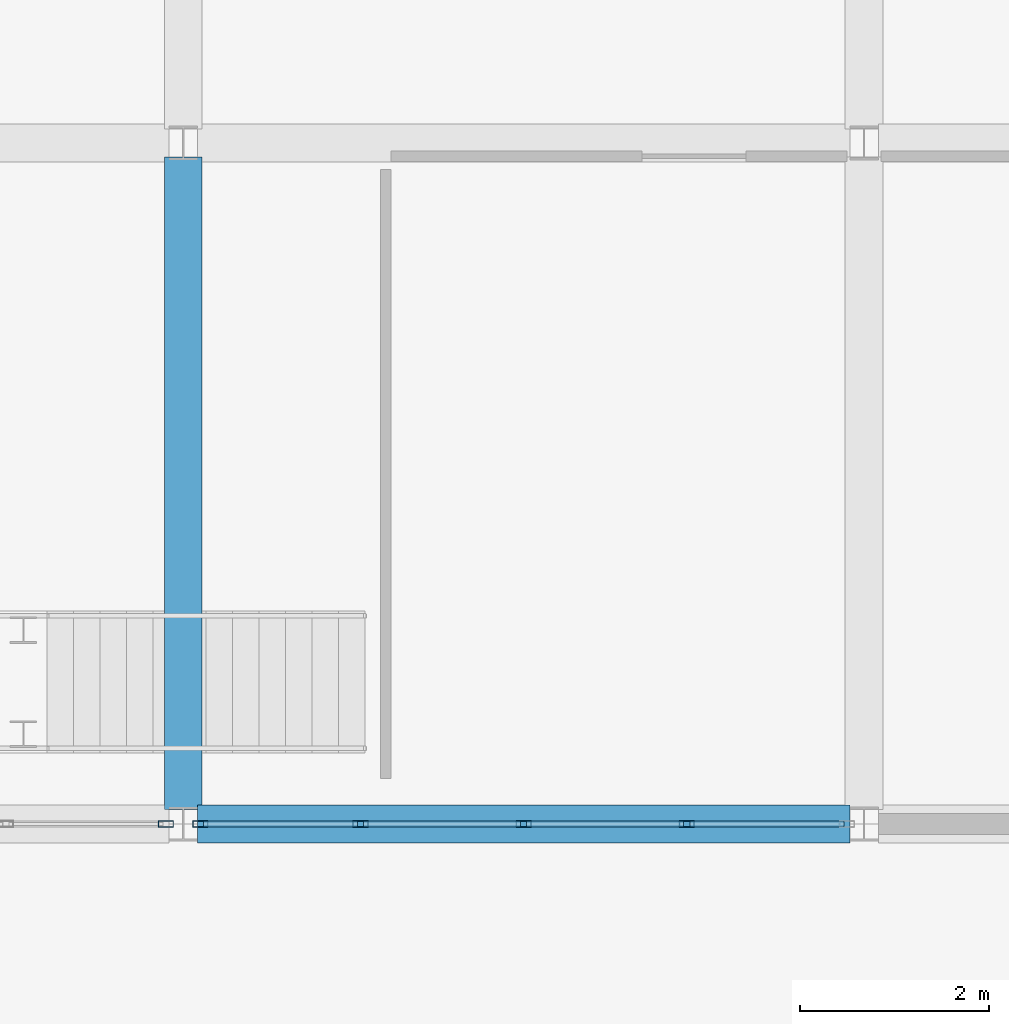
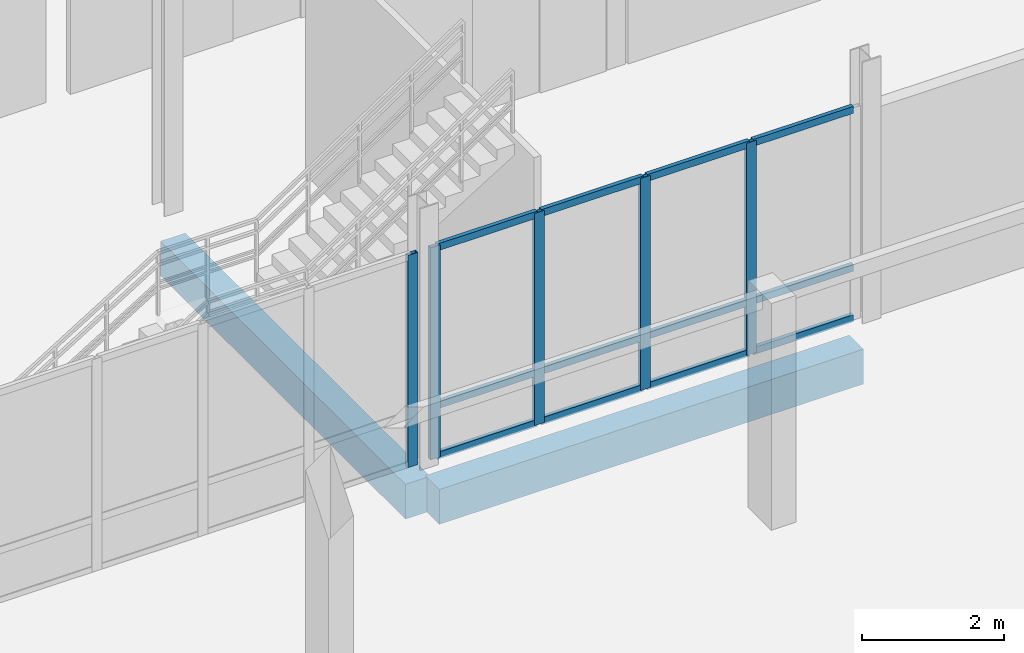
# One storey, part 79 of 139: 17 members, 2 beams, 2 elements without a shape of their own.
"""IFC4 building model written with IfcOpenShell, lengths in metres."""

import ifcopenshell
import ifcopenshell.guid

model = None  # the IFC model being written
_history = None  # IfcOwnerHistory: only IFC2X3 demands one
_inside = {}  # id of a spatial element -> (the spatial element, [elements in it])
_under = {}  # id of a project, library or spatial element -> (it, [spatial elements below it])
_declared = {}  # id of a project -> (the project, [libraries it declares])
_typed = {}  # id of a type object -> (the type object, [elements of that type])
_made_of = {}  # id of a material, layer set ... -> (it, [elements and type objects made of it])


def new_model(schema):
    """Start an empty IFC model of exactly this schema.

    Asked for "IFC4X3", IfcOpenShell would pick the latest addendum, in which some entities
    have other attributes; the version numbers below select the first issue.
    IFC2X3 requires an IfcOwnerHistory on every rooted entity: one is made here for all.
    """
    global model, _history
    if schema == "IFC4X3":
        model = ifcopenshell.file(schema_version=(4, 3, 0, 0))
    else:
        model = ifcopenshell.file(schema=schema)
    _inside.clear()
    _under.clear()
    _declared.clear()
    _typed.clear()
    _made_of.clear()
    _history = None
    if model.schema == "IFC2X3":
        org = make("IfcOrganization", Name="unknown")
        user = make(
            "IfcPersonAndOrganization",
            ThePerson=make("IfcPerson", FamilyName="unknown"),
            TheOrganization=org,
        )
        app = make(
            "IfcApplication",
            ApplicationDeveloper=org,
            Version="unknown",
            ApplicationFullName="unknown",
            ApplicationIdentifier="unknown",
        )
        _history = make(
            "IfcOwnerHistory",
            OwningUser=user,
            OwningApplication=app,
            ChangeAction="ADDED",
            CreationDate=0,
        )
    return model


def make(cls, **values):
    """One entity of the class cls with the attributes given. An attribute that is None is left unset."""
    return model.create_entity(
        cls, **{name: value for name, value in values.items() if value is not None}
    )


def rooted(cls, **values):
    """An entity with a GlobalId (a new one), such as an element, a storey or a relation."""
    return make(cls, GlobalId=ifcopenshell.guid.new(), OwnerHistory=_history, **values)


def si_unit(unit_type, name, prefix=None):
    """IfcSIUnit, for example si_unit("LENGTHUNIT", "METRE", prefix="MILLI")."""
    return make("IfcSIUnit", UnitType=unit_type, Prefix=prefix, Name=name)


def assignment(units):
    """IfcUnitAssignment: the units of a project."""
    return None if units is None else make("IfcUnitAssignment", Units=units)


def point(xyz):
    """IfcCartesianPoint."""
    return None if xyz is None else make("IfcCartesianPoint", Coordinates=xyz)


def direction(xyz):
    """IfcDirection."""
    return None if xyz is None else make("IfcDirection", DirectionRatios=xyz)


def frame(location, z_axis=None, x_axis=None):
    """IfcAxis2Placement3D, a coordinate frame: its origin and axes. An axis left out is left unset."""
    return make(
        "IfcAxis2Placement3D",
        Location=point(location),
        Axis=direction(z_axis),
        RefDirection=direction(x_axis),
    )


def frame_2d(location, x_axis=None):
    """IfcAxis2Placement2D, a coordinate frame in the plane: its origin and x axis."""
    return make(
        "IfcAxis2Placement2D", Location=point(location), RefDirection=direction(x_axis)
    )


def origin():
    """The frame at (0, 0, 0) with its axes left unset."""
    return frame((0.0, 0.0, 0.0))


def origin_2d():
    """The frame at (0, 0) in the plane with its x axis left unset."""
    return frame_2d((0.0, 0.0))


def place(relative_to, where):
    """IfcLocalPlacement: puts the frame where relative to a parent placement (None: the world)."""
    return make(
        "IfcLocalPlacement", PlacementRelTo=relative_to, RelativePlacement=where
    )


def context(
    kind, dimensions, precision=None, world=None, true_north=None, identifier=None
):
    """IfcGeometricRepresentationContext, for example the 3D "Model" context."""
    return make(
        "IfcGeometricRepresentationContext",
        ContextIdentifier=identifier,
        ContextType=kind,
        CoordinateSpaceDimension=dimensions,
        Precision=precision,
        WorldCoordinateSystem=world,
        TrueNorth=true_north,
    )


def subcontext(parent, identifier, kind, view, scale=None):
    """IfcGeometricRepresentationSubContext, for example "Body" below "Model"."""
    return make(
        "IfcGeometricRepresentationSubContext",
        ContextIdentifier=identifier,
        ContextType=kind,
        ParentContext=parent,
        TargetScale=scale,
        TargetView=view,
    )


def project(units=None, contexts=None):
    """IfcProject with its units and contexts."""
    return rooted(
        "IfcProject",
        Name="project",
        RepresentationContexts=contexts,
        UnitsInContext=assignment(units),
    )


def spatial(cls, under=None, at=None, **own):
    """A site, building, storey or space (cls), placed at a placement, below another one or the project."""
    s = rooted(cls, ObjectPlacement=at, **own)
    if under is not None:
        _under.setdefault(under.id(), (under, []))[1].append(s)
    return s


def profile(cls, at=None, kind="AREA", **sizes):
    """A parametric profile (cls). Its sizes go by their IFC names, for example OverallWidth=200.0."""
    return make(cls, ProfileType=kind, Position=at, **sizes)


def rectangle(**sizes):
    """IfcRectangleProfileDef."""
    return profile("IfcRectangleProfileDef", **sizes)


def hollow_rectangle(**sizes):
    """IfcRectangleHollowProfileDef."""
    return profile("IfcRectangleHollowProfileDef", **sizes)


def extrude(swept, where, along, depth):
    """IfcExtrudedAreaSolid: the profile swept, set in the frame where, extruded along a direction by depth."""
    return make(
        "IfcExtrudedAreaSolid",
        SweptArea=swept,
        Position=where,
        ExtrudedDirection=direction(along),
        Depth=depth,
    )


def shape(context_of_items, identifier, shape_type, items):
    """IfcShapeRepresentation: the items that make up one representation, for example the "Body"."""
    return make(
        "IfcShapeRepresentation",
        ContextOfItems=context_of_items,
        RepresentationIdentifier=identifier,
        RepresentationType=shape_type,
        Items=items,
    )


def material(Name=None, Category=None):
    """IfcMaterial."""
    return make("IfcMaterial", Name=Name, Category=Category)


def material_profile(
    of_material, cross_section, Name=None, Category=None, Priority=None
):
    """IfcMaterialProfile: a cross section and its material."""
    return make(
        "IfcMaterialProfile",
        Name=Name,
        Material=of_material,
        Profile=cross_section,
        Priority=Priority,
        Category=Category,
    )


def profile_set(profiles, Name=None, composite=None):
    """IfcMaterialProfileSet."""
    return make(
        "IfcMaterialProfileSet",
        Name=Name,
        MaterialProfiles=profiles,
        CompositeProfile=composite,
    )


def made_of(thing, what):
    """Note that an element or type object is made of a material, layer set ...; save() writes the relation."""
    if what is not None:
        _made_of.setdefault(what.id(), (what, []))[1].append(thing)
    return thing


def type_object(cls, material=None, **own):
    """A type object (cls), such as IfcWallType, which elements share."""
    return made_of(rooted(cls, **own), material)


def element(
    cls,
    number,
    at=None,
    inside=None,
    cuts=None,
    type_object=None,
    material=None,
    context=None,
    identifier="Body",
    shape_type=None,
    held_by="IfcProductDefinitionShape",
    body=None,
    shapes=None,
    **own,
):
    """One element of the class cls, such as IfcWall. Its Tag is "e" and its number.

    at: its placement. inside: the storey or other place that contains it. cuts: it is an
    opening in that element (IfcRelVoidsElement). A single representation is given by context,
    identifier, shape_type and body (its items); several are given by shapes. held_by: the class
    of the entity that holds the representations. save() writes the other relations.
    """
    e = rooted(cls, Tag="e%d" % number, ObjectPlacement=at, **own)
    if body is not None:
        shapes = [shape(context, identifier, shape_type, body)]
    if shapes is not None:
        e.Representation = make(held_by, Representations=shapes)
    if inside is not None:
        _inside.setdefault(inside.id(), (inside, []))[1].append(e)
    if cuts is not None:
        rooted(
            "IfcRelVoidsElement", RelatingBuildingElement=cuts, RelatedOpeningElement=e
        )
    if type_object is not None:
        _typed.setdefault(type_object.id(), (type_object, []))[1].append(e)
    return made_of(e, material)


def aggregate(whole, parts):
    """IfcRelAggregates: a whole, such as a stair, and the parts it consists of."""
    return rooted("IfcRelAggregates", RelatingObject=whole, RelatedObjects=parts)


def save(model, path):
    """Write the relations noted so far, then the file.

    IfcRelAggregates (storeys below a building ...), IfcRelContainedInSpatialStructure (elements
    in a storey), IfcRelDefinesByType, IfcRelAssociatesMaterial and IfcRelDeclares: one each for
    every whole, place, type object, material and project.
    """
    for whole, parts in _under.values():
        aggregate(whole, parts)
    for where, things in _inside.values():
        rooted(
            "IfcRelContainedInSpatialStructure",
            RelatedElements=things,
            RelatingStructure=where,
        )
    for kind, things in _typed.values():
        rooted("IfcRelDefinesByType", RelatedObjects=things, RelatingType=kind)
    for what, things in _made_of.values():
        rooted("IfcRelAssociatesMaterial", RelatedObjects=things, RelatingMaterial=what)
    for by, libraries in _declared.values():
        rooted("IfcRelDeclares", RelatingContext=by, RelatedDefinitions=libraries)
    model.write(path)


model = new_model("IFC4")

# Units and contexts
model_context = context("Model", 3, precision=1e-05, world=origin(), true_north=direction((0.0, 1.0)))
body_context = subcontext(model_context, "Body", "Model", "MODEL_VIEW")
ifc_project = project(units=[si_unit("LENGTHUNIT", "METRE"), si_unit("AREAUNIT", "SQUARE_METRE"), si_unit("VOLUMEUNIT", "CUBIC_METRE"), si_unit("PLANEANGLEUNIT", "RADIAN"), si_unit("MASSUNIT", "GRAM", prefix="KILO")], contexts=[model_context])

# Site, building, storey
site_placement = place(None, origin())
site = spatial("IfcSite", under=ifc_project, at=site_placement, CompositionType="ELEMENT")
building_placement = place(site_placement, origin())
building = spatial("IfcBuilding", under=site, at=building_placement, Name="Suanplinth Sawtooth Commons", CompositionType="ELEMENT")
storey_placement = place(building_placement, origin())
storey = spatial("IfcBuildingStorey", under=building, at=storey_placement, Name="L00", CompositionType="ELEMENT", Elevation=0.0)

# Beams
ifc_material_1 = material(Name="Precast concrete C40/50", Category="concrete")
ifc_material_profile_1 = material_profile(ifc_material_1, rectangle(XDim=0.39990234375, YDim=0.60009765625, at=origin_2d()), Name="PC-GDR 400x600")
ifc_profile_set_1 = profile_set([ifc_material_profile_1], Name="Precast concrete C40/50")
beam_type = type_object("IfcBeamType", Name="B-05", PredefinedType="USERDEFINED", material=ifc_profile_set_1)
beam_1_placement = place(storey_placement, frame((144.14990234375, 50.39990234375, -0.719970703125), z_axis=(1.0, 0.0, 0.0), x_axis=(0.0, 1.0, 0.0)))
element("IfcBeam", 1, at=beam_1_placement, inside=storey, type_object=beam_type, Name="BMX-L00-NURS-20-7", ObjectType="GIRDER", PredefinedType="USERDEFINED", context=body_context, shape_type="SweptSolid", body=[
    extrude(rectangle(XDim=0.39990234375, YDim=0.60009765625, at=origin_2d()), origin(), (0.0, 0.0, 1.0), 6.900146484375),
])
beam_2_placement = place(storey_placement, frame((144.0, 50.550048828125, -0.719970703125), z_axis=(0.0, 1.0, 0.0), x_axis=(-1.0, 0.0, 0.0)))
element("IfcBeam", 2, at=beam_2_placement, inside=storey, type_object=beam_type, Name="BMY-L00-NURS-20-7", ObjectType="GIRDER", PredefinedType="USERDEFINED", context=body_context, shape_type="SweptSolid", body=[
    extrude(rectangle(XDim=0.39990234375, YDim=0.60009765625, at=origin_2d()), origin(), (0.0, 0.0, 1.0), 6.89990234375),
])

# Curtain wall, member
ifc_material_2 = material(Name="Anodized aluminium and low-E glazing", Category="aluminium")
curtain_wall_type = type_object("IfcCurtainWallType", Name="CW-02", PredefinedType="USERDEFINED", material=ifc_material_2)
curtain_wall_1_placement = place(storey_placement, origin())
curtain_wall_1 = element("IfcCurtainWall", 3, at=curtain_wall_1_placement, inside=storey, type_object=curtain_wall_type, Name="Curtain Wall CW-L00-NURS-S-19", ObjectType="CURTAIN WALL", PredefinedType="USERDEFINED")
ifc_material_3 = material(Name="Anodized aluminium 6063-T6", Category="aluminium")
ifc_material_profile_2 = material_profile(ifc_material_3, hollow_rectangle(XDim=0.06494140625, YDim=0.159912109375, WallThickness=0.00390625, at=origin_2d()), Name="ALU-MUL 65x160")
ifc_profile_set_2 = profile_set([ifc_material_profile_2], Name="Anodized aluminium 6063-T6")
member_type_1 = type_object("IfcMemberType", Name="M-13", PredefinedType="MULLION", material=ifc_profile_set_2)
member_1_placement = place(storey_placement, frame((143.8173828125, 50.39990234375, 0.0), z_axis=(0.0, 0.0, 1.0), x_axis=(0.0, 1.0, 0.0)))
member_1 = element("IfcMember", 4, at=member_1_placement, type_object=member_type_1, Name="CW-02 mullion 5", PredefinedType="MULLION", context=body_context, shape_type="SweptSolid", body=[
    extrude(hollow_rectangle(XDim=0.06494140625, YDim=0.159912109375, WallThickness=0.00390625, at=origin_2d()), origin(), (0.0, 0.0, 1.0), 3.64990234375),
])
aggregate(curtain_wall_1, [member_1])

# Curtain wall, members
curtain_wall_2_placement = place(storey_placement, origin())
curtain_wall_2 = element("IfcCurtainWall", 5, at=curtain_wall_2_placement, inside=storey, type_object=curtain_wall_type, Name="Curtain Wall CW-L00-NURS-S-20", ObjectType="CURTAIN WALL", PredefinedType="USERDEFINED")
member_2_placement = place(storey_placement, frame((144.1826171875, 50.39990234375, 0.0), z_axis=(0.0, 0.0, 1.0), x_axis=(0.0, 1.0, 0.0)))
member_2 = element("IfcMember", 6, at=member_2_placement, type_object=member_type_1, Name="CW-02 mullion 1", PredefinedType="MULLION", context=body_context, shape_type="SweptSolid", body=[
    extrude(hollow_rectangle(XDim=0.06494140625, YDim=0.159912109375, WallThickness=0.00390625, at=origin_2d()), origin(), (0.0, 0.0, 1.0), 3.64990234375),
])
member_3_placement = place(storey_placement, frame((145.875, 50.39990234375, 0.0), z_axis=(0.0, 0.0, 1.0), x_axis=(0.0, 1.0, 0.0)))
member_3 = element("IfcMember", 7, at=member_3_placement, type_object=member_type_1, Name="CW-02 mullion 2", PredefinedType="MULLION", context=body_context, shape_type="SweptSolid", body=[
    extrude(hollow_rectangle(XDim=0.06494140625, YDim=0.159912109375, WallThickness=0.00390625, at=origin_2d()), origin(), (0.0, 0.0, 1.0), 3.64990234375),
])
member_4_placement = place(storey_placement, frame((147.60009765625, 50.39990234375, 0.0), z_axis=(0.0, 0.0, 1.0), x_axis=(0.0, 1.0, 0.0)))
member_4 = element("IfcMember", 8, at=member_4_placement, type_object=member_type_1, Name="CW-02 mullion 3", PredefinedType="MULLION", context=body_context, shape_type="SweptSolid", body=[
    extrude(hollow_rectangle(XDim=0.06494140625, YDim=0.159912109375, WallThickness=0.00390625, at=origin_2d()), origin(), (0.0, 0.0, 1.0), 3.64990234375),
])
member_5_placement = place(storey_placement, frame((149.324951171875, 50.39990234375, 0.0), z_axis=(0.0, 0.0, 1.0), x_axis=(0.0, 1.0, 0.0)))
member_5 = element("IfcMember", 9, at=member_5_placement, type_object=member_type_1, Name="CW-02 mullion 4", PredefinedType="MULLION", context=body_context, shape_type="SweptSolid", body=[
    extrude(hollow_rectangle(XDim=0.06494140625, YDim=0.159912109375, WallThickness=0.00390625, at=origin_2d()), origin(), (0.0, 0.0, 1.0), 3.64990234375),
])
ifc_material_profile_3 = material_profile(ifc_material_3, hollow_rectangle(XDim=0.06494140625, YDim=0.1201171875, WallThickness=0.00390625, at=origin_2d()), Name="ALU-TRN 65x120")
ifc_profile_set_3 = profile_set([ifc_material_profile_3], Name="Anodized aluminium 6063-T6")
member_type_2 = type_object("IfcMemberType", Name="M-15", PredefinedType="USERDEFINED", material=ifc_profile_set_3)
member_6_placement = place(storey_placement, frame((144.215087890625, 50.39990234375, 0.032470703125), z_axis=(1.0, 0.0, 0.0), x_axis=(0.0, 1.0, 0.0)))
member_6 = element("IfcMember", 10, at=member_6_placement, type_object=member_type_2, Name="CW-02 transom 1.1", ObjectType="TRANSOM", PredefinedType="USERDEFINED", context=body_context, shape_type="SweptSolid", body=[
    extrude(hollow_rectangle(XDim=0.06494140625, YDim=0.1201171875, WallThickness=0.00390625, at=origin_2d()), origin(), (0.0, 0.0, 1.0), 1.62744140625),
])
member_7_placement = place(storey_placement, frame((144.215087890625, 50.39990234375, 0.89990234375), z_axis=(1.0, 0.0, 0.0), x_axis=(0.0, 1.0, 0.0)))
member_7 = element("IfcMember", 11, at=member_7_placement, type_object=member_type_2, Name="CW-02 transom 1.2", ObjectType="TRANSOM", PredefinedType="USERDEFINED", context=body_context, shape_type="SweptSolid", body=[
    extrude(hollow_rectangle(XDim=0.06494140625, YDim=0.1201171875, WallThickness=0.00390625, at=origin_2d()), origin(), (0.0, 0.0, 1.0), 1.62744140625),
])
member_8_placement = place(storey_placement, frame((144.215087890625, 50.39990234375, 3.617431640625), z_axis=(1.0, 0.0, 0.0), x_axis=(0.0, 1.0, 0.0)))
member_8 = element("IfcMember", 12, at=member_8_placement, type_object=member_type_2, Name="CW-02 transom 1.3", ObjectType="TRANSOM", PredefinedType="USERDEFINED", context=body_context, shape_type="SweptSolid", body=[
    extrude(hollow_rectangle(XDim=0.06494140625, YDim=0.1201171875, WallThickness=0.00390625, at=origin_2d()), origin(), (0.0, 0.0, 1.0), 1.62744140625),
])
member_9_placement = place(storey_placement, frame((145.907470703125, 50.39990234375, 0.032470703125), z_axis=(1.0, 0.0, 0.0), x_axis=(0.0, 1.0, 0.0)))
member_9 = element("IfcMember", 13, at=member_9_placement, type_object=member_type_2, Name="CW-02 transom 2.1", ObjectType="TRANSOM", PredefinedType="USERDEFINED", context=body_context, shape_type="SweptSolid", body=[
    extrude(hollow_rectangle(XDim=0.06494140625, YDim=0.1201171875, WallThickness=0.00390625, at=origin_2d()), origin(), (0.0, 0.0, 1.0), 1.659912109375),
])
member_10_placement = place(storey_placement, frame((145.907470703125, 50.39990234375, 0.89990234375), z_axis=(1.0, 0.0, 0.0), x_axis=(0.0, 1.0, 0.0)))
member_10 = element("IfcMember", 14, at=member_10_placement, type_object=member_type_2, Name="CW-02 transom 2.2", ObjectType="TRANSOM", PredefinedType="USERDEFINED", context=body_context, shape_type="SweptSolid", body=[
    extrude(hollow_rectangle(XDim=0.06494140625, YDim=0.1201171875, WallThickness=0.00390625, at=origin_2d()), origin(), (0.0, 0.0, 1.0), 1.659912109375),
])
member_11_placement = place(storey_placement, frame((145.907470703125, 50.39990234375, 3.617431640625), z_axis=(1.0, 0.0, 0.0), x_axis=(0.0, 1.0, 0.0)))
member_11 = element("IfcMember", 15, at=member_11_placement, type_object=member_type_2, Name="CW-02 transom 2.3", ObjectType="TRANSOM", PredefinedType="USERDEFINED", context=body_context, shape_type="SweptSolid", body=[
    extrude(hollow_rectangle(XDim=0.06494140625, YDim=0.1201171875, WallThickness=0.00390625, at=origin_2d()), origin(), (0.0, 0.0, 1.0), 1.659912109375),
])
member_12_placement = place(storey_placement, frame((147.632568359375, 50.39990234375, 0.032470703125), z_axis=(1.0, 0.0, 0.0), x_axis=(0.0, 1.0, 0.0)))
member_12 = element("IfcMember", 16, at=member_12_placement, type_object=member_type_2, Name="CW-02 transom 3.1", ObjectType="TRANSOM", PredefinedType="USERDEFINED", context=body_context, shape_type="SweptSolid", body=[
    extrude(hollow_rectangle(XDim=0.06494140625, YDim=0.1201171875, WallThickness=0.00390625, at=origin_2d()), origin(), (0.0, 0.0, 1.0), 1.659912109375),
])
member_13_placement = place(storey_placement, frame((147.632568359375, 50.39990234375, 0.89990234375), z_axis=(1.0, 0.0, 0.0), x_axis=(0.0, 1.0, 0.0)))
member_13 = element("IfcMember", 17, at=member_13_placement, type_object=member_type_2, Name="CW-02 transom 3.2", ObjectType="TRANSOM", PredefinedType="USERDEFINED", context=body_context, shape_type="SweptSolid", body=[
    extrude(hollow_rectangle(XDim=0.06494140625, YDim=0.1201171875, WallThickness=0.00390625, at=origin_2d()), origin(), (0.0, 0.0, 1.0), 1.659912109375),
])
member_14_placement = place(storey_placement, frame((147.632568359375, 50.39990234375, 3.617431640625), z_axis=(1.0, 0.0, 0.0), x_axis=(0.0, 1.0, 0.0)))
member_14 = element("IfcMember", 18, at=member_14_placement, type_object=member_type_2, Name="CW-02 transom 3.3", ObjectType="TRANSOM", PredefinedType="USERDEFINED", context=body_context, shape_type="SweptSolid", body=[
    extrude(hollow_rectangle(XDim=0.06494140625, YDim=0.1201171875, WallThickness=0.00390625, at=origin_2d()), origin(), (0.0, 0.0, 1.0), 1.659912109375),
])
member_15_placement = place(storey_placement, frame((149.357421875, 50.39990234375, 0.032470703125), z_axis=(1.0, 0.0, 0.0), x_axis=(0.0, 1.0, 0.0)))
member_15 = element("IfcMember", 19, at=member_15_placement, type_object=member_type_2, Name="CW-02 transom 4.1", ObjectType="TRANSOM", PredefinedType="USERDEFINED", context=body_context, shape_type="SweptSolid", body=[
    extrude(hollow_rectangle(XDim=0.06494140625, YDim=0.1201171875, WallThickness=0.00390625, at=origin_2d()), origin(), (0.0, 0.0, 1.0), 1.627685546875),
])
member_16_placement = place(storey_placement, frame((149.357421875, 50.39990234375, 0.89990234375), z_axis=(1.0, 0.0, 0.0), x_axis=(0.0, 1.0, 0.0)))
member_16 = element("IfcMember", 20, at=member_16_placement, type_object=member_type_2, Name="CW-02 transom 4.2", ObjectType="TRANSOM", PredefinedType="USERDEFINED", context=body_context, shape_type="SweptSolid", body=[
    extrude(hollow_rectangle(XDim=0.06494140625, YDim=0.1201171875, WallThickness=0.00390625, at=origin_2d()), origin(), (0.0, 0.0, 1.0), 1.627685546875),
])
member_17_placement = place(storey_placement, frame((149.357421875, 50.39990234375, 3.617431640625), z_axis=(1.0, 0.0, 0.0), x_axis=(0.0, 1.0, 0.0)))
member_17 = element("IfcMember", 21, at=member_17_placement, type_object=member_type_2, Name="CW-02 transom 4.3", ObjectType="TRANSOM", PredefinedType="USERDEFINED", context=body_context, shape_type="SweptSolid", body=[
    extrude(hollow_rectangle(XDim=0.06494140625, YDim=0.1201171875, WallThickness=0.00390625, at=origin_2d()), origin(), (0.0, 0.0, 1.0), 1.627685546875),
])
aggregate(curtain_wall_2, [member_2, member_3, member_4, member_5, member_6, member_7, member_8, member_9, member_10, member_11, member_12, member_13, member_14, member_15, member_16, member_17])

save(model, "model.ifc")
